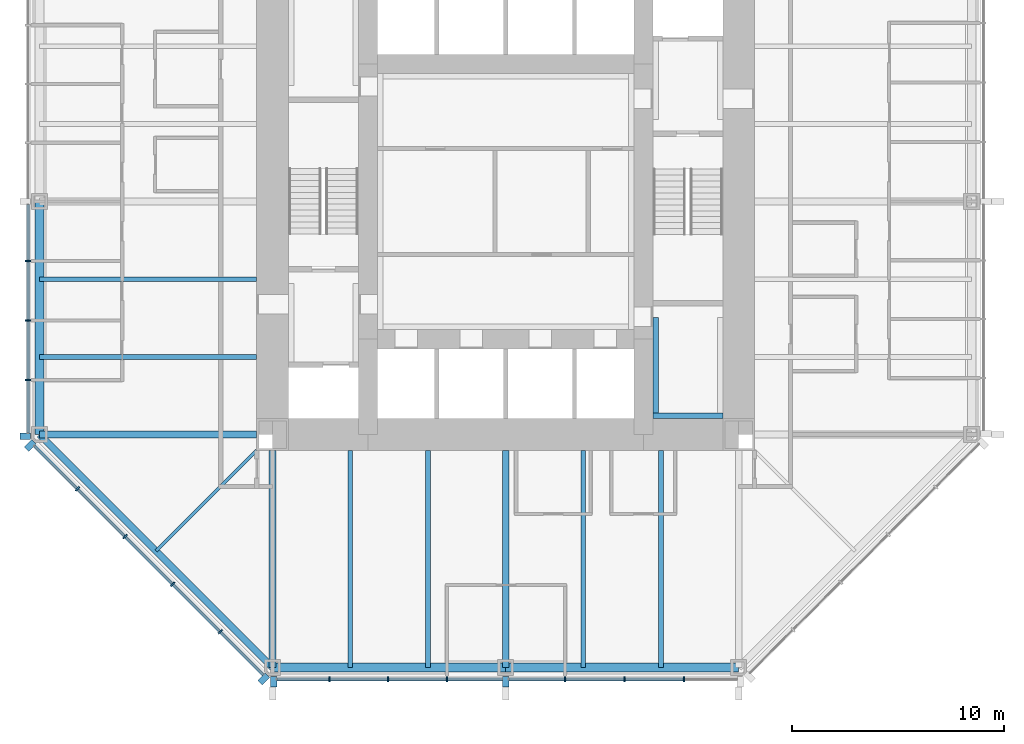
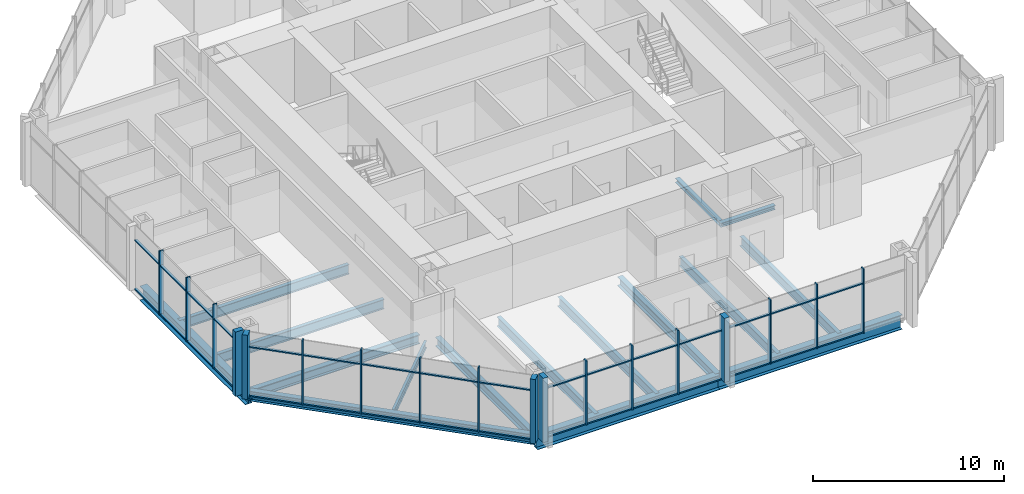
# One storey, part 2 of 14: 50 members, 16 beams, 3 elements without a shape of their own.
"""IFC4 building model written with IfcOpenShell, lengths in metres."""

import ifcopenshell
import ifcopenshell.guid

model = None  # the IFC model being written
_history = None  # IfcOwnerHistory: only IFC2X3 demands one
_inside = {}  # id of a spatial element -> (the spatial element, [elements in it])
_under = {}  # id of a project, library or spatial element -> (it, [spatial elements below it])
_declared = {}  # id of a project -> (the project, [libraries it declares])
_typed = {}  # id of a type object -> (the type object, [elements of that type])
_made_of = {}  # id of a material, layer set ... -> (it, [elements and type objects made of it])


def new_model(schema):
    """Start an empty IFC model of exactly this schema.

    Asked for "IFC4X3", IfcOpenShell would pick the latest addendum, in which some entities
    have other attributes; the version numbers below select the first issue.
    IFC2X3 requires an IfcOwnerHistory on every rooted entity: one is made here for all.
    """
    global model, _history
    if schema == "IFC4X3":
        model = ifcopenshell.file(schema_version=(4, 3, 0, 0))
    else:
        model = ifcopenshell.file(schema=schema)
    _inside.clear()
    _under.clear()
    _declared.clear()
    _typed.clear()
    _made_of.clear()
    _history = None
    if model.schema == "IFC2X3":
        org = make("IfcOrganization", Name="unknown")
        user = make(
            "IfcPersonAndOrganization",
            ThePerson=make("IfcPerson", FamilyName="unknown"),
            TheOrganization=org,
        )
        app = make(
            "IfcApplication",
            ApplicationDeveloper=org,
            Version="unknown",
            ApplicationFullName="unknown",
            ApplicationIdentifier="unknown",
        )
        _history = make(
            "IfcOwnerHistory",
            OwningUser=user,
            OwningApplication=app,
            ChangeAction="ADDED",
            CreationDate=0,
        )
    return model


def make(cls, **values):
    """One entity of the class cls with the attributes given. An attribute that is None is left unset."""
    return model.create_entity(
        cls, **{name: value for name, value in values.items() if value is not None}
    )


def rooted(cls, **values):
    """An entity with a GlobalId (a new one), such as an element, a storey or a relation."""
    return make(cls, GlobalId=ifcopenshell.guid.new(), OwnerHistory=_history, **values)


def si_unit(unit_type, name, prefix=None):
    """IfcSIUnit, for example si_unit("LENGTHUNIT", "METRE", prefix="MILLI")."""
    return make("IfcSIUnit", UnitType=unit_type, Prefix=prefix, Name=name)


def assignment(units):
    """IfcUnitAssignment: the units of a project."""
    return None if units is None else make("IfcUnitAssignment", Units=units)


def point(xyz):
    """IfcCartesianPoint."""
    return None if xyz is None else make("IfcCartesianPoint", Coordinates=xyz)


def direction(xyz):
    """IfcDirection."""
    return None if xyz is None else make("IfcDirection", DirectionRatios=xyz)


def frame(location, z_axis=None, x_axis=None):
    """IfcAxis2Placement3D, a coordinate frame: its origin and axes. An axis left out is left unset."""
    return make(
        "IfcAxis2Placement3D",
        Location=point(location),
        Axis=direction(z_axis),
        RefDirection=direction(x_axis),
    )


def frame_2d(location, x_axis=None):
    """IfcAxis2Placement2D, a coordinate frame in the plane: its origin and x axis."""
    return make(
        "IfcAxis2Placement2D", Location=point(location), RefDirection=direction(x_axis)
    )


def origin():
    """The frame at (0, 0, 0) with its axes left unset."""
    return frame((0.0, 0.0, 0.0))


def origin_2d():
    """The frame at (0, 0) in the plane with its x axis left unset."""
    return frame_2d((0.0, 0.0))


def place(relative_to, where):
    """IfcLocalPlacement: puts the frame where relative to a parent placement (None: the world)."""
    return make(
        "IfcLocalPlacement", PlacementRelTo=relative_to, RelativePlacement=where
    )


def context(
    kind, dimensions, precision=None, world=None, true_north=None, identifier=None
):
    """IfcGeometricRepresentationContext, for example the 3D "Model" context."""
    return make(
        "IfcGeometricRepresentationContext",
        ContextIdentifier=identifier,
        ContextType=kind,
        CoordinateSpaceDimension=dimensions,
        Precision=precision,
        WorldCoordinateSystem=world,
        TrueNorth=true_north,
    )


def subcontext(parent, identifier, kind, view, scale=None):
    """IfcGeometricRepresentationSubContext, for example "Body" below "Model"."""
    return make(
        "IfcGeometricRepresentationSubContext",
        ContextIdentifier=identifier,
        ContextType=kind,
        ParentContext=parent,
        TargetScale=scale,
        TargetView=view,
    )


def project(units=None, contexts=None):
    """IfcProject with its units and contexts."""
    return rooted(
        "IfcProject",
        Name="project",
        RepresentationContexts=contexts,
        UnitsInContext=assignment(units),
    )


def spatial(cls, under=None, at=None, **own):
    """A site, building, storey or space (cls), placed at a placement, below another one or the project."""
    s = rooted(cls, ObjectPlacement=at, **own)
    if under is not None:
        _under.setdefault(under.id(), (under, []))[1].append(s)
    return s


def profile(cls, at=None, kind="AREA", **sizes):
    """A parametric profile (cls). Its sizes go by their IFC names, for example OverallWidth=200.0."""
    return make(cls, ProfileType=kind, Position=at, **sizes)


def rectangle(**sizes):
    """IfcRectangleProfileDef."""
    return profile("IfcRectangleProfileDef", **sizes)


def i_section(**sizes):
    """IfcIShapeProfileDef."""
    return profile("IfcIShapeProfileDef", **sizes)


def extrude(swept, where, along, depth):
    """IfcExtrudedAreaSolid: the profile swept, set in the frame where, extruded along a direction by depth."""
    return make(
        "IfcExtrudedAreaSolid",
        SweptArea=swept,
        Position=where,
        ExtrudedDirection=direction(along),
        Depth=depth,
    )


def shape(context_of_items, identifier, shape_type, items):
    """IfcShapeRepresentation: the items that make up one representation, for example the "Body"."""
    return make(
        "IfcShapeRepresentation",
        ContextOfItems=context_of_items,
        RepresentationIdentifier=identifier,
        RepresentationType=shape_type,
        Items=items,
    )


def material(Name=None, Category=None):
    """IfcMaterial."""
    return make("IfcMaterial", Name=Name, Category=Category)


def material_profile(
    of_material, cross_section, Name=None, Category=None, Priority=None
):
    """IfcMaterialProfile: a cross section and its material."""
    return make(
        "IfcMaterialProfile",
        Name=Name,
        Material=of_material,
        Profile=cross_section,
        Priority=Priority,
        Category=Category,
    )


def profile_set(profiles, Name=None, composite=None):
    """IfcMaterialProfileSet."""
    return make(
        "IfcMaterialProfileSet",
        Name=Name,
        MaterialProfiles=profiles,
        CompositeProfile=composite,
    )


def made_of(thing, what):
    """Note that an element or type object is made of a material, layer set ...; save() writes the relation."""
    if what is not None:
        _made_of.setdefault(what.id(), (what, []))[1].append(thing)
    return thing


def type_object(cls, material=None, **own):
    """A type object (cls), such as IfcWallType, which elements share."""
    return made_of(rooted(cls, **own), material)


def element(
    cls,
    number,
    at=None,
    inside=None,
    cuts=None,
    type_object=None,
    material=None,
    context=None,
    identifier="Body",
    shape_type=None,
    held_by="IfcProductDefinitionShape",
    body=None,
    shapes=None,
    **own,
):
    """One element of the class cls, such as IfcWall. Its Tag is "e" and its number.

    at: its placement. inside: the storey or other place that contains it. cuts: it is an
    opening in that element (IfcRelVoidsElement). A single representation is given by context,
    identifier, shape_type and body (its items); several are given by shapes. held_by: the class
    of the entity that holds the representations. save() writes the other relations.
    """
    e = rooted(cls, Tag="e%d" % number, ObjectPlacement=at, **own)
    if body is not None:
        shapes = [shape(context, identifier, shape_type, body)]
    if shapes is not None:
        e.Representation = make(held_by, Representations=shapes)
    if inside is not None:
        _inside.setdefault(inside.id(), (inside, []))[1].append(e)
    if cuts is not None:
        rooted(
            "IfcRelVoidsElement", RelatingBuildingElement=cuts, RelatedOpeningElement=e
        )
    if type_object is not None:
        _typed.setdefault(type_object.id(), (type_object, []))[1].append(e)
    return made_of(e, material)


def aggregate(whole, parts):
    """IfcRelAggregates: a whole, such as a stair, and the parts it consists of."""
    return rooted("IfcRelAggregates", RelatingObject=whole, RelatedObjects=parts)


def save(model, path):
    """Write the relations noted so far, then the file.

    IfcRelAggregates (storeys below a building ...), IfcRelContainedInSpatialStructure (elements
    in a storey), IfcRelDefinesByType, IfcRelAssociatesMaterial and IfcRelDeclares: one each for
    every whole, place, type object, material and project.
    """
    for whole, parts in _under.values():
        aggregate(whole, parts)
    for where, things in _inside.values():
        rooted(
            "IfcRelContainedInSpatialStructure",
            RelatedElements=things,
            RelatingStructure=where,
        )
    for kind, things in _typed.values():
        rooted("IfcRelDefinesByType", RelatedObjects=things, RelatingType=kind)
    for what, things in _made_of.values():
        rooted("IfcRelAssociatesMaterial", RelatedObjects=things, RelatingMaterial=what)
    for by, libraries in _declared.values():
        rooted("IfcRelDeclares", RelatingContext=by, RelatedDefinitions=libraries)
    model.write(path)


model = new_model("IFC4")

# Units and contexts
model_context = context("Model", 3, precision=1e-05, world=origin(), true_north=direction((0.0, 1.0)))
body_context = subcontext(model_context, "Body", "Model", "MODEL_VIEW")
ifc_project = project(units=[si_unit("LENGTHUNIT", "METRE"), si_unit("AREAUNIT", "SQUARE_METRE"), si_unit("VOLUMEUNIT", "CUBIC_METRE"), si_unit("PLANEANGLEUNIT", "RADIAN"), si_unit("MASSUNIT", "GRAM", prefix="KILO")], contexts=[model_context])

# Site, building, storey
site_placement = place(None, origin())
site = spatial("IfcSite", under=ifc_project, at=site_placement, CompositionType="ELEMENT")
building_placement = place(site_placement, origin())
building = spatial("IfcBuilding", under=site, at=building_placement, Name="Trevanion Tower", CompositionType="ELEMENT")
storey_placement = place(building_placement, frame((0.0, 0.0, 109.0)))
storey = spatial("IfcBuildingStorey", under=building, at=storey_placement, Name="L25", CompositionType="ELEMENT", Elevation=109.0)

# Beams
ifc_material_1 = material(Name="Steel ASTM A992 Grade 50", Category="steel")
ifc_material_profile_1 = material_profile(ifc_material_1, i_section(OverallWidth=0.22900390625, OverallDepth=0.612060546875, WebThickness=0.011962890625, FlangeThickness=0.01953125, at=origin_2d()), Name="W24X84")
ifc_profile_set_1 = profile_set([ifc_material_profile_1], Name="Steel ASTM A992 Grade 50")
beam_type_1 = type_object("IfcBeamType", Name="B7 W24X84", PredefinedType="BEAM", material=ifc_profile_set_1)
for number, where, z_axis, x_axis, name in (
    (1, (-11.75, -3.666748046875, -0.49609375), (-1.0, 0.0, 0.0), (0.0, -1.0, 0.0), "B7 L25"),
    (2, (-11.75, -7.333251953125, -0.49609375), (-1.0, 0.0, 0.0), (0.0, -1.0, 0.0), "B7 L25"),
    (3, (-7.333251953125, -11.75, -0.49609375), (0.0, -1.0, 0.0), (1.0, 0.0, 0.0), "B7 L25"),
    (4, (-3.666748046875, -11.75, -0.49609375), (0.0, -1.0, 0.0), (1.0, 0.0, 0.0), "B7 L25"),
    (5, (3.666748046875, -11.75, -0.49609375), (0.0, -1.0, 0.0), (1.0, 0.0, 0.0), "B7 L25"),
    (6, (7.333251953125, -11.75, -0.49609375), (0.0, -1.0, 0.0), (1.0, 0.0, 0.0), "B7 L25"),
):
    element("IfcBeam", number, at=place(storey_placement, frame(where, z_axis=z_axis, x_axis=x_axis)), inside=storey, type_object=beam_type_1, Name=name, PredefinedType="BEAM", context=body_context, shape_type="SweptSolid", body=[
        extrude(i_section(OverallWidth=0.22900390625, OverallDepth=0.612060546875, WebThickness=0.011962890625, FlangeThickness=0.01953125, at=origin_2d()), origin(), (0.0, 0.0, 1.0), 10.25),
    ])
ifc_material_2 = material(Name="Steel ASTM A992 Grade 50", Category="steel")
ifc_material_profile_2 = material_profile(ifc_material_2, i_section(OverallWidth=0.15234375, OverallDepth=0.449462890625, WebThickness=0.007568359375, FlangeThickness=0.0107421875, at=origin_2d()), Name="W18X35")
ifc_profile_set_2 = profile_set([ifc_material_profile_2], Name="Steel ASTM A992 Grade 50")
beam_type_2 = type_object("IfcBeamType", Name="B8 W18X35", PredefinedType="BEAM", material=ifc_profile_set_2)
beam_1_placement = place(storey_placement, frame((-11.75, -11.75, -0.414794921875), z_axis=(-0.707106781187, -0.707106781187, 0.0), x_axis=(0.707106781187, -0.707106781187, 0.0)))
element("IfcBeam", 7, at=beam_1_placement, inside=storey, type_object=beam_type_2, Name="B8 L25", PredefinedType="BEAM", context=body_context, shape_type="SweptSolid", body=[
    extrude(i_section(OverallWidth=0.15234375, OverallDepth=0.449462890625, WebThickness=0.007568359375, FlangeThickness=0.0107421875, at=origin_2d()), origin(), (0.0, 0.0, 1.0), 6.717529296875),
])

# Curtain wall, members
ifc_material_3 = material(Name="Aluminium and glass", Category="aluminium")
curtain_wall_type = type_object("IfcCurtainWallType", Name="CW2 curtain wall", PredefinedType="USERDEFINED", material=ifc_material_3)
curtain_wall_1_placement = place(storey_placement, origin())
curtain_wall_1 = element("IfcCurtainWall", 8, at=curtain_wall_1_placement, inside=storey, type_object=curtain_wall_type, Name="CW2 L25 4", ObjectType="UNITISED CURTAIN WALL", PredefinedType="USERDEFINED")
ifc_material_4 = material(Name="Aluminium extrusion, anodised bronze", Category="aluminium")
ifc_material_profile_3 = material_profile(ifc_material_4, rectangle(XDim=0.074951171875, YDim=0.25, at=origin_2d()), Name="CW2 mullion")
ifc_profile_set_3 = profile_set([ifc_material_profile_3], Name="Aluminium extrusion, anodised bronze")
member_type_1 = type_object("IfcMemberType", Name="CW2 mullion", PredefinedType="MULLION", material=ifc_profile_set_3)
member_1_placement = place(storey_placement, frame((-22.550048828125, -2.806884765625, -0.18994140625), z_axis=(0.0, 0.0, 1.0), x_axis=(0.0, -1.0, 0.0)))
member_1 = element("IfcMember", 9, at=member_1_placement, type_object=member_type_1, Name="CW2 mullion 6", PredefinedType="MULLION", context=body_context, shape_type="SweptSolid", body=[
    extrude(rectangle(XDim=0.074951171875, YDim=0.25, at=origin_2d()), origin(), (0.0, 0.0, 1.0), 4.099853515625),
])
member_2_placement = place(storey_placement, frame((-22.550048828125, -5.614013671875, -0.18994140625), z_axis=(0.0, 0.0, 1.0), x_axis=(0.0, -1.0, 0.0)))
member_2 = element("IfcMember", 10, at=member_2_placement, type_object=member_type_1, Name="CW2 mullion 7", PredefinedType="MULLION", context=body_context, shape_type="SweptSolid", body=[
    extrude(rectangle(XDim=0.074951171875, YDim=0.25, at=origin_2d()), origin(), (0.0, 0.0, 1.0), 4.099853515625),
])
member_3_placement = place(storey_placement, frame((-22.550048828125, -8.4208984375, -0.18994140625), z_axis=(0.0, 0.0, 1.0), x_axis=(0.0, -1.0, 0.0)))
member_3 = element("IfcMember", 11, at=member_3_placement, type_object=member_type_1, Name="CW2 mullion 8", PredefinedType="MULLION", context=body_context, shape_type="SweptSolid", body=[
    extrude(rectangle(XDim=0.074951171875, YDim=0.25, at=origin_2d()), origin(), (0.0, 0.0, 1.0), 4.099853515625),
])

curtain_wall_2_placement = place(storey_placement, origin())
curtain_wall_2 = element("IfcCurtainWall", 12, at=curtain_wall_2_placement, inside=storey, type_object=curtain_wall_type, Name="CW2 L25 5", ObjectType="UNITISED CURTAIN WALL", PredefinedType="USERDEFINED")
member_4_placement = place(storey_placement, frame((-20.2119140625, -13.56591796875, -0.18994140625), z_axis=(0.0, 0.0, 1.0), x_axis=(0.707106781187, -0.707106781187, 0.0)))
member_4 = element("IfcMember", 13, at=member_4_placement, type_object=member_type_1, Name="CW2 mullion 2", PredefinedType="MULLION", context=body_context, shape_type="SweptSolid", body=[
    extrude(rectangle(XDim=0.074951171875, YDim=0.25, at=origin_2d()), origin(), (0.0, 0.0, 1.0), 4.099853515625),
])
member_5_placement = place(storey_placement, frame((-17.966064453125, -15.811767578125, -0.18994140625), z_axis=(0.0, 0.0, 1.0), x_axis=(0.707106781187, -0.707106781187, 0.0)))
member_5 = element("IfcMember", 14, at=member_5_placement, type_object=member_type_1, Name="CW2 mullion 3", PredefinedType="MULLION", context=body_context, shape_type="SweptSolid", body=[
    extrude(rectangle(XDim=0.074951171875, YDim=0.25, at=origin_2d()), origin(), (0.0, 0.0, 1.0), 4.099853515625),
])
member_6_placement = place(storey_placement, frame((-15.719970703125, -18.057861328125, -0.18994140625), z_axis=(0.0, 0.0, 1.0), x_axis=(0.707106781187, -0.707106781187, 0.0)))
member_6 = element("IfcMember", 15, at=member_6_placement, type_object=member_type_1, Name="CW2 mullion 4", PredefinedType="MULLION", context=body_context, shape_type="SweptSolid", body=[
    extrude(rectangle(XDim=0.074951171875, YDim=0.25, at=origin_2d()), origin(), (0.0, 0.0, 1.0), 4.099853515625),
])
member_7_placement = place(storey_placement, frame((-13.473876953125, -20.303955078125, -0.18994140625), z_axis=(0.0, 0.0, 1.0), x_axis=(0.707106781187, -0.707106781187, 0.0)))
member_7 = element("IfcMember", 16, at=member_7_placement, type_object=member_type_1, Name="CW2 mullion 5", PredefinedType="MULLION", context=body_context, shape_type="SweptSolid", body=[
    extrude(rectangle(XDim=0.074951171875, YDim=0.25, at=origin_2d()), origin(), (0.0, 0.0, 1.0), 4.099853515625),
])

curtain_wall_3_placement = place(storey_placement, origin())
curtain_wall_3 = element("IfcCurtainWall", 17, at=curtain_wall_3_placement, inside=storey, type_object=curtain_wall_type, Name="CW2 L25 6", ObjectType="UNITISED CURTAIN WALL", PredefinedType="USERDEFINED")
member_8_placement = place(storey_placement, frame((-8.323486328125, -22.550048828125, -0.18994140625), z_axis=(0.0, 0.0, 1.0), x_axis=(1.0, 0.0, 0.0)))
member_8 = element("IfcMember", 18, at=member_8_placement, type_object=member_type_1, Name="CW2 mullion 2", PredefinedType="MULLION", context=body_context, shape_type="SweptSolid", body=[
    extrude(rectangle(XDim=0.074951171875, YDim=0.25, at=origin_2d()), origin(), (0.0, 0.0, 1.0), 4.099853515625),
])
member_9_placement = place(storey_placement, frame((-5.548828125, -22.550048828125, -0.18994140625), z_axis=(0.0, 0.0, 1.0), x_axis=(1.0, 0.0, 0.0)))
member_9 = element("IfcMember", 19, at=member_9_placement, type_object=member_type_1, Name="CW2 mullion 3", PredefinedType="MULLION", context=body_context, shape_type="SweptSolid", body=[
    extrude(rectangle(XDim=0.074951171875, YDim=0.25, at=origin_2d()), origin(), (0.0, 0.0, 1.0), 4.099853515625),
])
member_10_placement = place(storey_placement, frame((-2.7744140625, -22.550048828125, -0.18994140625), z_axis=(0.0, 0.0, 1.0), x_axis=(1.0, 0.0, 0.0)))
member_10 = element("IfcMember", 20, at=member_10_placement, type_object=member_type_1, Name="CW2 mullion 4", PredefinedType="MULLION", context=body_context, shape_type="SweptSolid", body=[
    extrude(rectangle(XDim=0.074951171875, YDim=0.25, at=origin_2d()), origin(), (0.0, 0.0, 1.0), 4.099853515625),
])
member_11_placement = place(storey_placement, frame((2.806884765625, -22.550048828125, -0.18994140625), z_axis=(0.0, 0.0, 1.0), x_axis=(1.0, 0.0, 0.0)))
member_11 = element("IfcMember", 21, at=member_11_placement, type_object=member_type_1, Name="CW2 mullion 6", PredefinedType="MULLION", context=body_context, shape_type="SweptSolid", body=[
    extrude(rectangle(XDim=0.074951171875, YDim=0.25, at=origin_2d()), origin(), (0.0, 0.0, 1.0), 4.099853515625),
])
member_12_placement = place(storey_placement, frame((5.614013671875, -22.550048828125, -0.18994140625), z_axis=(0.0, 0.0, 1.0), x_axis=(1.0, 0.0, 0.0)))
member_12 = element("IfcMember", 22, at=member_12_placement, type_object=member_type_1, Name="CW2 mullion 7", PredefinedType="MULLION", context=body_context, shape_type="SweptSolid", body=[
    extrude(rectangle(XDim=0.074951171875, YDim=0.25, at=origin_2d()), origin(), (0.0, 0.0, 1.0), 4.099853515625),
])
member_13_placement = place(storey_placement, frame((8.4208984375, -22.550048828125, -0.18994140625), z_axis=(0.0, 0.0, 1.0), x_axis=(1.0, 0.0, 0.0)))
member_13 = element("IfcMember", 23, at=member_13_placement, type_object=member_type_1, Name="CW2 mullion 8", PredefinedType="MULLION", context=body_context, shape_type="SweptSolid", body=[
    extrude(rectangle(XDim=0.074951171875, YDim=0.25, at=origin_2d()), origin(), (0.0, 0.0, 1.0), 4.099853515625),
])

# Member
ifc_material_5 = material(Name="Aluminium extrusion, anodised bronze", Category="aluminium")
ifc_material_profile_4 = material_profile(ifc_material_5, rectangle(XDim=0.300048828125, YDim=0.5, at=origin_2d()), Name="CW2 pier mullion")
ifc_profile_set_4 = profile_set([ifc_material_profile_4], Name="Aluminium extrusion, anodised bronze")
member_type_2 = type_object("IfcMemberType", Name="CW2 pier mullion", PredefinedType="MULLION", material=ifc_profile_set_4)
member_14_placement = place(storey_placement, frame((-22.675048828125, -11.077880859375, -0.18994140625), z_axis=(0.0, 0.0, 1.0), x_axis=(0.0, -1.0, 0.0)))
member_14 = element("IfcMember", 24, at=member_14_placement, type_object=member_type_2, Name="CW2 pier mullion 9", PredefinedType="MULLION", context=body_context, shape_type="SweptSolid", body=[
    extrude(rectangle(XDim=0.300048828125, YDim=0.5, at=origin_2d()), origin(), (0.0, 0.0, 1.0), 4.099853515625),
])

member_15_placement = place(storey_placement, frame((-22.4404296875, -11.51416015625, -0.18994140625), z_axis=(0.0, 0.0, 1.0), x_axis=(0.707106781187, -0.707106781187, 0.0)))
member_15 = element("IfcMember", 25, at=member_15_placement, type_object=member_type_2, Name="CW2 pier mullion 1", PredefinedType="MULLION", context=body_context, shape_type="SweptSolid", body=[
    extrude(rectangle(XDim=0.300048828125, YDim=0.5, at=origin_2d()), origin(), (0.0, 0.0, 1.0), 4.099853515625),
])

member_16_placement = place(storey_placement, frame((-11.42236328125, -22.5322265625, -0.18994140625), z_axis=(0.0, 0.0, 1.0), x_axis=(0.707106781187, -0.707106781187, 0.0)))
member_16 = element("IfcMember", 26, at=member_16_placement, type_object=member_type_2, Name="CW2 pier mullion 6", PredefinedType="MULLION", context=body_context, shape_type="SweptSolid", body=[
    extrude(rectangle(XDim=0.300048828125, YDim=0.5, at=origin_2d()), origin(), (0.0, 0.0, 1.0), 4.099853515625),
])

member_17_placement = place(storey_placement, frame((-10.94775390625, -22.675048828125, -0.18994140625), z_axis=(0.0, 0.0, 1.0), x_axis=(1.0, 0.0, 0.0)))
member_17 = element("IfcMember", 27, at=member_17_placement, type_object=member_type_2, Name="CW2 pier mullion 1", PredefinedType="MULLION", context=body_context, shape_type="SweptSolid", body=[
    extrude(rectangle(XDim=0.300048828125, YDim=0.5, at=origin_2d()), origin(), (0.0, 0.0, 1.0), 4.099853515625),
])

member_18_placement = place(storey_placement, frame((0.0, -22.675048828125, -0.18994140625), z_axis=(0.0, 0.0, 1.0), x_axis=(1.0, 0.0, 0.0)))
member_18 = element("IfcMember", 28, at=member_18_placement, type_object=member_type_2, Name="CW2 pier mullion 5", PredefinedType="MULLION", context=body_context, shape_type="SweptSolid", body=[
    extrude(rectangle(XDim=0.300048828125, YDim=0.5, at=origin_2d()), origin(), (0.0, 0.0, 1.0), 4.099853515625),
])

ifc_material_6 = material(Name="Aluminium extrusion, anodised bronze", Category="aluminium")
ifc_material_profile_5 = material_profile(ifc_material_6, rectangle(XDim=0.14990234375, YDim=0.074951171875, at=origin_2d()), Name="CW2 transom")
ifc_profile_set_5 = profile_set([ifc_material_profile_5], Name="Aluminium extrusion, anodised bronze")
member_type_3 = type_object("IfcMemberType", Name="CW2 transom", PredefinedType="USERDEFINED", material=ifc_profile_set_5)
member_19_placement = place(storey_placement, frame((-22.550048828125, -0.14990234375, -0.152587890625), z_axis=(0.0, -1.0, 0.0), x_axis=(1.0, 0.0, 0.0)))
member_19 = element("IfcMember", 29, at=member_19_placement, type_object=member_type_3, Name="CW2 transom 5.1", ObjectType="TRANSOM", PredefinedType="USERDEFINED", context=body_context, shape_type="SweptSolid", body=[
    extrude(rectangle(XDim=0.14990234375, YDim=0.074951171875, at=origin_2d()), origin(), (0.0, 0.0, 1.0), 2.619384765625),
])

member_20_placement = place(storey_placement, frame((-22.550048828125, -0.14990234375, 2.9599609375), z_axis=(0.0, -1.0, 0.0), x_axis=(1.0, 0.0, 0.0)))
member_20 = element("IfcMember", 30, at=member_20_placement, type_object=member_type_3, Name="CW2 transom 5.2", ObjectType="TRANSOM", PredefinedType="USERDEFINED", context=body_context, shape_type="SweptSolid", body=[
    extrude(rectangle(XDim=0.14990234375, YDim=0.074951171875, at=origin_2d()), origin(), (0.0, 0.0, 1.0), 2.619384765625),
])

member_21_placement = place(storey_placement, frame((-22.550048828125, -2.844482421875, -0.152587890625), z_axis=(0.0, -1.0, 0.0), x_axis=(1.0, 0.0, 0.0)))
member_21 = element("IfcMember", 31, at=member_21_placement, type_object=member_type_3, Name="CW2 transom 6.1", ObjectType="TRANSOM", PredefinedType="USERDEFINED", context=body_context, shape_type="SweptSolid", body=[
    extrude(rectangle(XDim=0.14990234375, YDim=0.074951171875, at=origin_2d()), origin(), (0.0, 0.0, 1.0), 2.73193359375),
])

member_22_placement = place(storey_placement, frame((-22.550048828125, -2.844482421875, 2.9599609375), z_axis=(0.0, -1.0, 0.0), x_axis=(1.0, 0.0, 0.0)))
member_22 = element("IfcMember", 32, at=member_22_placement, type_object=member_type_3, Name="CW2 transom 6.2", ObjectType="TRANSOM", PredefinedType="USERDEFINED", context=body_context, shape_type="SweptSolid", body=[
    extrude(rectangle(XDim=0.14990234375, YDim=0.074951171875, at=origin_2d()), origin(), (0.0, 0.0, 1.0), 2.73193359375),
])

member_23_placement = place(storey_placement, frame((-22.550048828125, -5.6513671875, -0.152587890625), z_axis=(0.0, -1.0, 0.0), x_axis=(1.0, 0.0, 0.0)))
member_23 = element("IfcMember", 33, at=member_23_placement, type_object=member_type_3, Name="CW2 transom 7.1", ObjectType="TRANSOM", PredefinedType="USERDEFINED", context=body_context, shape_type="SweptSolid", body=[
    extrude(rectangle(XDim=0.14990234375, YDim=0.074951171875, at=origin_2d()), origin(), (0.0, 0.0, 1.0), 2.73193359375),
])

member_24_placement = place(storey_placement, frame((-22.550048828125, -5.6513671875, 2.9599609375), z_axis=(0.0, -1.0, 0.0), x_axis=(1.0, 0.0, 0.0)))
member_24 = element("IfcMember", 34, at=member_24_placement, type_object=member_type_3, Name="CW2 transom 7.2", ObjectType="TRANSOM", PredefinedType="USERDEFINED", context=body_context, shape_type="SweptSolid", body=[
    extrude(rectangle(XDim=0.14990234375, YDim=0.074951171875, at=origin_2d()), origin(), (0.0, 0.0, 1.0), 2.73193359375),
])

member_25_placement = place(storey_placement, frame((-22.550048828125, -8.45849609375, -0.152587890625), z_axis=(0.0, -1.0, 0.0), x_axis=(1.0, 0.0, 0.0)))
member_25 = element("IfcMember", 35, at=member_25_placement, type_object=member_type_3, Name="CW2 transom 8.1", ObjectType="TRANSOM", PredefinedType="USERDEFINED", context=body_context, shape_type="SweptSolid", body=[
    extrude(rectangle(XDim=0.14990234375, YDim=0.074951171875, at=origin_2d()), origin(), (0.0, 0.0, 1.0), 2.46923828125),
])

member_26_placement = place(storey_placement, frame((-22.550048828125, -8.45849609375, 2.9599609375), z_axis=(0.0, -1.0, 0.0), x_axis=(1.0, 0.0, 0.0)))
member_26 = element("IfcMember", 36, at=member_26_placement, type_object=member_type_3, Name="CW2 transom 8.2", ObjectType="TRANSOM", PredefinedType="USERDEFINED", context=body_context, shape_type="SweptSolid", body=[
    extrude(rectangle(XDim=0.14990234375, YDim=0.074951171875, at=origin_2d()), origin(), (0.0, 0.0, 1.0), 2.46923828125),
])

aggregate(curtain_wall_1, [member_1, member_2, member_3, member_14, member_19, member_20, member_21, member_22, member_23, member_24, member_25, member_26])

member_27_placement = place(storey_placement, frame((-22.245849609375, -11.531982421875, -0.152587890625), z_axis=(0.707106781187, -0.707106781187, 0.0), x_axis=(0.707106781187, 0.707106781187, 0.0)))
member_27 = element("IfcMember", 37, at=member_27_placement, type_object=member_type_3, Name="CW2 transom 1.1", ObjectType="TRANSOM", PredefinedType="USERDEFINED", context=body_context, shape_type="SweptSolid", body=[
    extrude(rectangle(XDim=0.14990234375, YDim=0.074951171875, at=origin_2d()), origin(), (0.0, 0.0, 1.0), 2.8388671875),
])

member_28_placement = place(storey_placement, frame((-22.245849609375, -11.531982421875, 2.9599609375), z_axis=(0.707106781187, -0.707106781187, 0.0), x_axis=(0.707106781187, 0.707106781187, 0.0)))
member_28 = element("IfcMember", 38, at=member_28_placement, type_object=member_type_3, Name="CW2 transom 1.2", ObjectType="TRANSOM", PredefinedType="USERDEFINED", context=body_context, shape_type="SweptSolid", body=[
    extrude(rectangle(XDim=0.14990234375, YDim=0.074951171875, at=origin_2d()), origin(), (0.0, 0.0, 1.0), 2.8388671875),
])

member_29_placement = place(storey_placement, frame((-20.185546875, -13.59228515625, -0.152587890625), z_axis=(0.707106781187, -0.707106781187, 0.0), x_axis=(0.707106781187, 0.707106781187, 0.0)))
member_29 = element("IfcMember", 39, at=member_29_placement, type_object=member_type_3, Name="CW2 transom 2.1", ObjectType="TRANSOM", PredefinedType="USERDEFINED", context=body_context, shape_type="SweptSolid", body=[
    extrude(rectangle(XDim=0.14990234375, YDim=0.074951171875, at=origin_2d()), origin(), (0.0, 0.0, 1.0), 3.1015625),
])

member_30_placement = place(storey_placement, frame((-20.185546875, -13.59228515625, 2.9599609375), z_axis=(0.707106781187, -0.707106781187, 0.0), x_axis=(0.707106781187, 0.707106781187, 0.0)))
member_30 = element("IfcMember", 40, at=member_30_placement, type_object=member_type_3, Name="CW2 transom 2.2", ObjectType="TRANSOM", PredefinedType="USERDEFINED", context=body_context, shape_type="SweptSolid", body=[
    extrude(rectangle(XDim=0.14990234375, YDim=0.074951171875, at=origin_2d()), origin(), (0.0, 0.0, 1.0), 3.1015625),
])

member_31_placement = place(storey_placement, frame((-17.939453125, -15.83837890625, -0.152587890625), z_axis=(0.707106781187, -0.707106781187, 0.0), x_axis=(0.707106781187, 0.707106781187, 0.0)))
member_31 = element("IfcMember", 41, at=member_31_placement, type_object=member_type_3, Name="CW2 transom 3.1", ObjectType="TRANSOM", PredefinedType="USERDEFINED", context=body_context, shape_type="SweptSolid", body=[
    extrude(rectangle(XDim=0.14990234375, YDim=0.074951171875, at=origin_2d()), origin(), (0.0, 0.0, 1.0), 3.1015625),
])

member_32_placement = place(storey_placement, frame((-17.939453125, -15.83837890625, 2.9599609375), z_axis=(0.707106781187, -0.707106781187, 0.0), x_axis=(0.707106781187, 0.707106781187, 0.0)))
member_32 = element("IfcMember", 42, at=member_32_placement, type_object=member_type_3, Name="CW2 transom 3.2", ObjectType="TRANSOM", PredefinedType="USERDEFINED", context=body_context, shape_type="SweptSolid", body=[
    extrude(rectangle(XDim=0.14990234375, YDim=0.074951171875, at=origin_2d()), origin(), (0.0, 0.0, 1.0), 3.1015625),
])

member_33_placement = place(storey_placement, frame((-15.693359375, -18.08447265625, -0.152587890625), z_axis=(0.707106781187, -0.707106781187, 0.0), x_axis=(0.707106781187, 0.707106781187, 0.0)))
member_33 = element("IfcMember", 43, at=member_33_placement, type_object=member_type_3, Name="CW2 transom 4.1", ObjectType="TRANSOM", PredefinedType="USERDEFINED", context=body_context, shape_type="SweptSolid", body=[
    extrude(rectangle(XDim=0.14990234375, YDim=0.074951171875, at=origin_2d()), origin(), (0.0, 0.0, 1.0), 3.10107421875),
])

member_34_placement = place(storey_placement, frame((-15.693359375, -18.08447265625, 2.9599609375), z_axis=(0.707106781187, -0.707106781187, 0.0), x_axis=(0.707106781187, 0.707106781187, 0.0)))
member_34 = element("IfcMember", 44, at=member_34_placement, type_object=member_type_3, Name="CW2 transom 4.2", ObjectType="TRANSOM", PredefinedType="USERDEFINED", context=body_context, shape_type="SweptSolid", body=[
    extrude(rectangle(XDim=0.14990234375, YDim=0.074951171875, at=origin_2d()), origin(), (0.0, 0.0, 1.0), 3.10107421875),
])

member_35_placement = place(storey_placement, frame((-13.447509765625, -20.33056640625, -0.152587890625), z_axis=(0.707149778163, -0.707063781595, 0.0), x_axis=(0.707063781595, 0.707149778163, 0.0)))
member_35 = element("IfcMember", 45, at=member_35_placement, type_object=member_type_3, Name="CW2 transom 5.1", ObjectType="TRANSOM", PredefinedType="USERDEFINED", context=body_context, shape_type="SweptSolid", body=[
    extrude(rectangle(XDim=0.14990234375, YDim=0.074951171875, at=origin_2d()), origin(), (0.0, 0.0, 1.0), 2.8388671875),
])

member_36_placement = place(storey_placement, frame((-13.447509765625, -20.33056640625, 2.9599609375), z_axis=(0.707149778163, -0.707063781595, 0.0), x_axis=(0.707063781595, 0.707149778163, 0.0)))
member_36 = element("IfcMember", 46, at=member_36_placement, type_object=member_type_3, Name="CW2 transom 5.2", ObjectType="TRANSOM", PredefinedType="USERDEFINED", context=body_context, shape_type="SweptSolid", body=[
    extrude(rectangle(XDim=0.14990234375, YDim=0.074951171875, at=origin_2d()), origin(), (0.0, 0.0, 1.0), 2.8388671875),
])

aggregate(curtain_wall_2, [member_15, member_4, member_5, member_6, member_7, member_16, member_27, member_28, member_29, member_30, member_31, member_32, member_33, member_34, member_35, member_36])

member_37_placement = place(storey_placement, frame((-10.7978515625, -22.550048828125, -0.152587890625), z_axis=(1.0, 0.0, 0.0), x_axis=(0.0, 1.0, 0.0)))
member_37 = element("IfcMember", 47, at=member_37_placement, type_object=member_type_3, Name="CW2 transom 1.1", ObjectType="TRANSOM", PredefinedType="USERDEFINED", context=body_context, shape_type="SweptSolid", body=[
    extrude(rectangle(XDim=0.14990234375, YDim=0.074951171875, at=origin_2d()), origin(), (0.0, 0.0, 1.0), 2.43701171875),
])

member_38_placement = place(storey_placement, frame((-10.7978515625, -22.550048828125, 2.9599609375), z_axis=(1.0, 0.0, 0.0), x_axis=(0.0, 1.0, 0.0)))
member_38 = element("IfcMember", 48, at=member_38_placement, type_object=member_type_3, Name="CW2 transom 1.2", ObjectType="TRANSOM", PredefinedType="USERDEFINED", context=body_context, shape_type="SweptSolid", body=[
    extrude(rectangle(XDim=0.14990234375, YDim=0.074951171875, at=origin_2d()), origin(), (0.0, 0.0, 1.0), 2.43701171875),
])

member_39_placement = place(storey_placement, frame((-8.285888671875, -22.550048828125, -0.152587890625), z_axis=(1.0, 0.0, 0.0), x_axis=(0.0, 1.0, 0.0)))
member_39 = element("IfcMember", 49, at=member_39_placement, type_object=member_type_3, Name="CW2 transom 2.1", ObjectType="TRANSOM", PredefinedType="USERDEFINED", context=body_context, shape_type="SweptSolid", body=[
    extrude(rectangle(XDim=0.14990234375, YDim=0.074951171875, at=origin_2d()), origin(), (0.0, 0.0, 1.0), 2.699462890625),
])

member_40_placement = place(storey_placement, frame((-8.285888671875, -22.550048828125, 2.9599609375), z_axis=(1.0, 0.0, 0.0), x_axis=(0.0, 1.0, 0.0)))
member_40 = element("IfcMember", 50, at=member_40_placement, type_object=member_type_3, Name="CW2 transom 2.2", ObjectType="TRANSOM", PredefinedType="USERDEFINED", context=body_context, shape_type="SweptSolid", body=[
    extrude(rectangle(XDim=0.14990234375, YDim=0.074951171875, at=origin_2d()), origin(), (0.0, 0.0, 1.0), 2.699462890625),
])

member_41_placement = place(storey_placement, frame((-5.511474609375, -22.550048828125, -0.152587890625), z_axis=(1.0, 0.0, 0.0), x_axis=(0.0, 1.0, 0.0)))
member_41 = element("IfcMember", 51, at=member_41_placement, type_object=member_type_3, Name="CW2 transom 3.1", ObjectType="TRANSOM", PredefinedType="USERDEFINED", context=body_context, shape_type="SweptSolid", body=[
    extrude(rectangle(XDim=0.14990234375, YDim=0.074951171875, at=origin_2d()), origin(), (0.0, 0.0, 1.0), 2.699462890625),
])

member_42_placement = place(storey_placement, frame((-5.511474609375, -22.550048828125, 2.9599609375), z_axis=(1.0, 0.0, 0.0), x_axis=(0.0, 1.0, 0.0)))
member_42 = element("IfcMember", 52, at=member_42_placement, type_object=member_type_3, Name="CW2 transom 3.2", ObjectType="TRANSOM", PredefinedType="USERDEFINED", context=body_context, shape_type="SweptSolid", body=[
    extrude(rectangle(XDim=0.14990234375, YDim=0.074951171875, at=origin_2d()), origin(), (0.0, 0.0, 1.0), 2.699462890625),
])

member_43_placement = place(storey_placement, frame((-2.737060546875, -22.550048828125, -0.152587890625), z_axis=(1.0, 0.0, 0.0), x_axis=(0.0, 1.0, 0.0)))
member_43 = element("IfcMember", 53, at=member_43_placement, type_object=member_type_3, Name="CW2 transom 4.1", ObjectType="TRANSOM", PredefinedType="USERDEFINED", context=body_context, shape_type="SweptSolid", body=[
    extrude(rectangle(XDim=0.14990234375, YDim=0.074951171875, at=origin_2d()), origin(), (0.0, 0.0, 1.0), 2.587158203125),
])

member_44_placement = place(storey_placement, frame((-2.737060546875, -22.550048828125, 2.9599609375), z_axis=(1.0, 0.0, 0.0), x_axis=(0.0, 1.0, 0.0)))
member_44 = element("IfcMember", 54, at=member_44_placement, type_object=member_type_3, Name="CW2 transom 4.2", ObjectType="TRANSOM", PredefinedType="USERDEFINED", context=body_context, shape_type="SweptSolid", body=[
    extrude(rectangle(XDim=0.14990234375, YDim=0.074951171875, at=origin_2d()), origin(), (0.0, 0.0, 1.0), 2.587158203125),
])

member_45_placement = place(storey_placement, frame((0.14990234375, -22.550048828125, -0.152587890625), z_axis=(1.0, 0.0, 0.0), x_axis=(0.0, 1.0, 0.0)))
member_45 = element("IfcMember", 55, at=member_45_placement, type_object=member_type_3, Name="CW2 transom 5.1", ObjectType="TRANSOM", PredefinedType="USERDEFINED", context=body_context, shape_type="SweptSolid", body=[
    extrude(rectangle(XDim=0.14990234375, YDim=0.074951171875, at=origin_2d()), origin(), (0.0, 0.0, 1.0), 2.619384765625),
])

member_46_placement = place(storey_placement, frame((0.14990234375, -22.550048828125, 2.9599609375), z_axis=(1.0, 0.0, 0.0), x_axis=(0.0, 1.0, 0.0)))
member_46 = element("IfcMember", 56, at=member_46_placement, type_object=member_type_3, Name="CW2 transom 5.2", ObjectType="TRANSOM", PredefinedType="USERDEFINED", context=body_context, shape_type="SweptSolid", body=[
    extrude(rectangle(XDim=0.14990234375, YDim=0.074951171875, at=origin_2d()), origin(), (0.0, 0.0, 1.0), 2.619384765625),
])

member_47_placement = place(storey_placement, frame((2.844482421875, -22.550048828125, -0.152587890625), z_axis=(1.0, 0.0, 0.0), x_axis=(0.0, 1.0, 0.0)))
member_47 = element("IfcMember", 57, at=member_47_placement, type_object=member_type_3, Name="CW2 transom 6.1", ObjectType="TRANSOM", PredefinedType="USERDEFINED", context=body_context, shape_type="SweptSolid", body=[
    extrude(rectangle(XDim=0.14990234375, YDim=0.074951171875, at=origin_2d()), origin(), (0.0, 0.0, 1.0), 2.73193359375),
])

member_48_placement = place(storey_placement, frame((2.844482421875, -22.550048828125, 2.9599609375), z_axis=(1.0, 0.0, 0.0), x_axis=(0.0, 1.0, 0.0)))
member_48 = element("IfcMember", 58, at=member_48_placement, type_object=member_type_3, Name="CW2 transom 6.2", ObjectType="TRANSOM", PredefinedType="USERDEFINED", context=body_context, shape_type="SweptSolid", body=[
    extrude(rectangle(XDim=0.14990234375, YDim=0.074951171875, at=origin_2d()), origin(), (0.0, 0.0, 1.0), 2.73193359375),
])

member_49_placement = place(storey_placement, frame((5.6513671875, -22.550048828125, -0.152587890625), z_axis=(1.0, 0.0, 0.0), x_axis=(0.0, 1.0, 0.0)))
member_49 = element("IfcMember", 59, at=member_49_placement, type_object=member_type_3, Name="CW2 transom 7.1", ObjectType="TRANSOM", PredefinedType="USERDEFINED", context=body_context, shape_type="SweptSolid", body=[
    extrude(rectangle(XDim=0.14990234375, YDim=0.074951171875, at=origin_2d()), origin(), (0.0, 0.0, 1.0), 2.73193359375),
])

member_50_placement = place(storey_placement, frame((5.6513671875, -22.550048828125, 2.9599609375), z_axis=(1.0, 0.0, 0.0), x_axis=(0.0, 1.0, 0.0)))
member_50 = element("IfcMember", 60, at=member_50_placement, type_object=member_type_3, Name="CW2 transom 7.2", ObjectType="TRANSOM", PredefinedType="USERDEFINED", context=body_context, shape_type="SweptSolid", body=[
    extrude(rectangle(XDim=0.14990234375, YDim=0.074951171875, at=origin_2d()), origin(), (0.0, 0.0, 1.0), 2.73193359375),
])

aggregate(curtain_wall_3, [member_17, member_8, member_9, member_10, member_18, member_11, member_12, member_13, member_37, member_38, member_39, member_40, member_41, member_42, member_43, member_44, member_45, member_46, member_47, member_48, member_49, member_50])

# Beams
ifc_material_7 = material(Name="Steel ASTM A992 Grade 50", Category="steel")
ifc_material_profile_6 = material_profile(ifc_material_7, i_section(OverallWidth=0.320068359375, OverallDepth=0.584228515625, WebThickness=0.023193359375, FlangeThickness=0.04150390625, at=origin_2d()), Name="W21X201")
ifc_profile_set_6 = profile_set([ifc_material_profile_6], Name="Steel ASTM A992 Grade 50")
beam_type_3 = type_object("IfcBeamType", Name="G4 W21X201", PredefinedType="BEAM", material=ifc_profile_set_6)
for number, where, z_axis, x_axis, name in (
    (61, (-11.75, -11.0, -0.482177734375), (-1.0, 0.0, 0.0), (0.0, -1.0, 0.0), "G4 L25"),
    (62, (-11.0, -11.75, -0.482177734375), (0.0, -1.0, 0.0), (1.0, 0.0, 0.0), "G4 L25"),
    (63, (0.0, -11.75, -0.482177734375), (0.0, -1.0, 0.0), (1.0, 0.0, 0.0), "G4 L25"),
):
    element("IfcBeam", number, at=place(storey_placement, frame(where, z_axis=z_axis, x_axis=x_axis)), inside=storey, type_object=beam_type_3, Name=name, PredefinedType="BEAM", context=body_context, shape_type="SweptSolid", body=[
        extrude(i_section(OverallWidth=0.320068359375, OverallDepth=0.584228515625, WebThickness=0.023193359375, FlangeThickness=0.04150390625, at=origin_2d()), origin(), (0.0, 0.0, 1.0), 10.25),
    ])
ifc_material_8 = material(Name="Steel ASTM A992 Grade 50", Category="steel")
ifc_material_profile_7 = material_profile(ifc_material_8, i_section(OverallWidth=0.256591796875, OverallDepth=0.26416015625, WebThickness=0.011962890625, FlangeThickness=0.01953125, at=origin_2d()), Name="W10X68")
ifc_profile_set_7 = profile_set([ifc_material_profile_7], Name="Steel ASTM A992 Grade 50")
beam_type_4 = type_object("IfcBeamType", Name="LB1 W10X68", PredefinedType="BEAM", material=ifc_profile_set_7)
beam_2_placement = place(storey_placement, frame((7.078369140625, -10.25, -0.33203125), z_axis=(0.0, 1.0, 0.0), x_axis=(-1.0, 0.0, 0.0)))
element("IfcBeam", 64, at=beam_2_placement, inside=storey, type_object=beam_type_4, Name="LB1 L25", PredefinedType="BEAM", context=body_context, shape_type="SweptSolid", body=[
    extrude(i_section(OverallWidth=0.256591796875, OverallDepth=0.26416015625, WebThickness=0.011962890625, FlangeThickness=0.01953125, at=origin_2d()), origin(), (0.0, 0.0, 1.0), 4.77490234375),
])
beam_3_placement = place(storey_placement, frame((6.949951171875, -10.12158203125, -0.33203125), z_axis=(1.0, 0.0, 0.0), x_axis=(0.0, 1.0, 0.0)))
element("IfcBeam", 65, at=beam_3_placement, inside=storey, type_object=beam_type_4, Name="LB1 L25", PredefinedType="BEAM", context=body_context, shape_type="SweptSolid", body=[
    extrude(i_section(OverallWidth=0.256591796875, OverallDepth=0.26416015625, WebThickness=0.011962890625, FlangeThickness=0.01953125, at=origin_2d()), origin(), (0.0, 0.0, 1.0), 3.300048828125),
])
ifc_material_9 = material(Name="Steel ASTM A992 Grade 50", Category="steel")
ifc_material_profile_8 = material_profile(ifc_material_9, i_section(OverallWidth=0.419189453125, OverallDepth=0.927001953125, WebThickness=0.019287109375, FlangeThickness=0.031982421875, at=origin_2d()), Name="W36X231")
ifc_profile_set_8 = profile_set([ifc_material_profile_8], Name="Steel ASTM A992 Grade 50")
beam_type_5 = type_object("IfcBeamType", Name="SB4 W36X231", PredefinedType="SPANDREL", material=ifc_profile_set_8)
for number, where, z_axis, x_axis, name in (
    (66, (-22.0, 0.0, -0.653564453125), (0.0, -1.0, 0.0), (1.0, 0.0, 0.0), "SB4 L25"),
    (67, (-11.0, -22.0, -0.653564453125), (1.0, 0.0, 0.0), (0.0, 1.0, 0.0), "SB4 L25"),
    (68, (0.0, -22.0, -0.653564453125), (1.0, 0.0, 0.0), (0.0, 1.0, 0.0), "SB4 L25"),
):
    element("IfcBeam", number, at=place(storey_placement, frame(where, z_axis=z_axis, x_axis=x_axis)), inside=storey, type_object=beam_type_5, Name=name, PredefinedType="SPANDREL", context=body_context, shape_type="SweptSolid", body=[
        extrude(i_section(OverallWidth=0.419189453125, OverallDepth=0.927001953125, WebThickness=0.019287109375, FlangeThickness=0.031982421875, at=origin_2d()), origin(), (0.0, 0.0, 1.0), 11.0),
    ])
ifc_material_10 = material(Name="Steel ASTM A992 Grade 50", Category="steel")
ifc_material_profile_9 = material_profile(ifc_material_10, i_section(OverallWidth=0.32763671875, OverallDepth=0.62744140625, WebThickness=0.0166015625, FlangeThickness=0.027587890625, at=origin_2d()), Name="W24X146")
ifc_profile_set_9 = profile_set([ifc_material_profile_9], Name="Steel ASTM A992 Grade 50")
beam_type_6 = type_object("IfcBeamType", Name="SB5 W24X146", PredefinedType="SPANDREL", material=ifc_profile_set_9)
beam_4_placement = place(storey_placement, frame((-22.0, -11.0, -0.503662109375), z_axis=(0.707106781187, -0.707106781187, 0.0), x_axis=(0.707106781187, 0.707106781187, 0.0)))
element("IfcBeam", 69, at=beam_4_placement, inside=storey, type_object=beam_type_6, Name="SB5 L25", PredefinedType="SPANDREL", context=body_context, shape_type="SweptSolid", body=[
    extrude(i_section(OverallWidth=0.32763671875, OverallDepth=0.62744140625, WebThickness=0.0166015625, FlangeThickness=0.027587890625, at=origin_2d()), origin(), (0.0, 0.0, 1.0), 15.556396484375),
])

save(model, "model.ifc")
